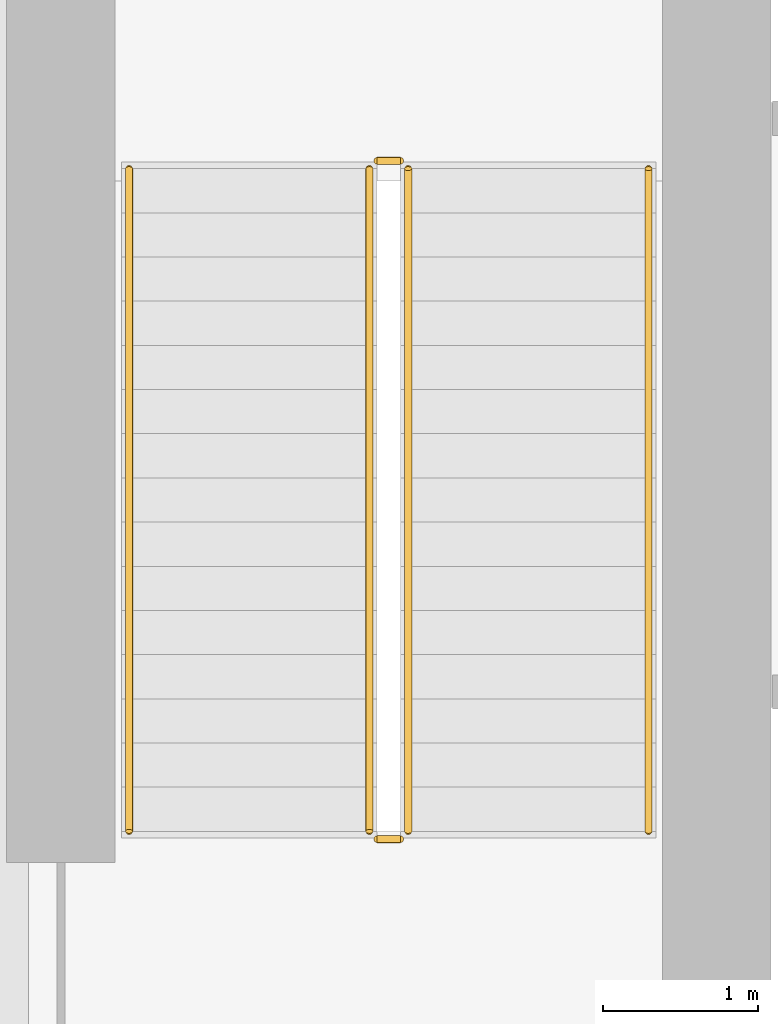
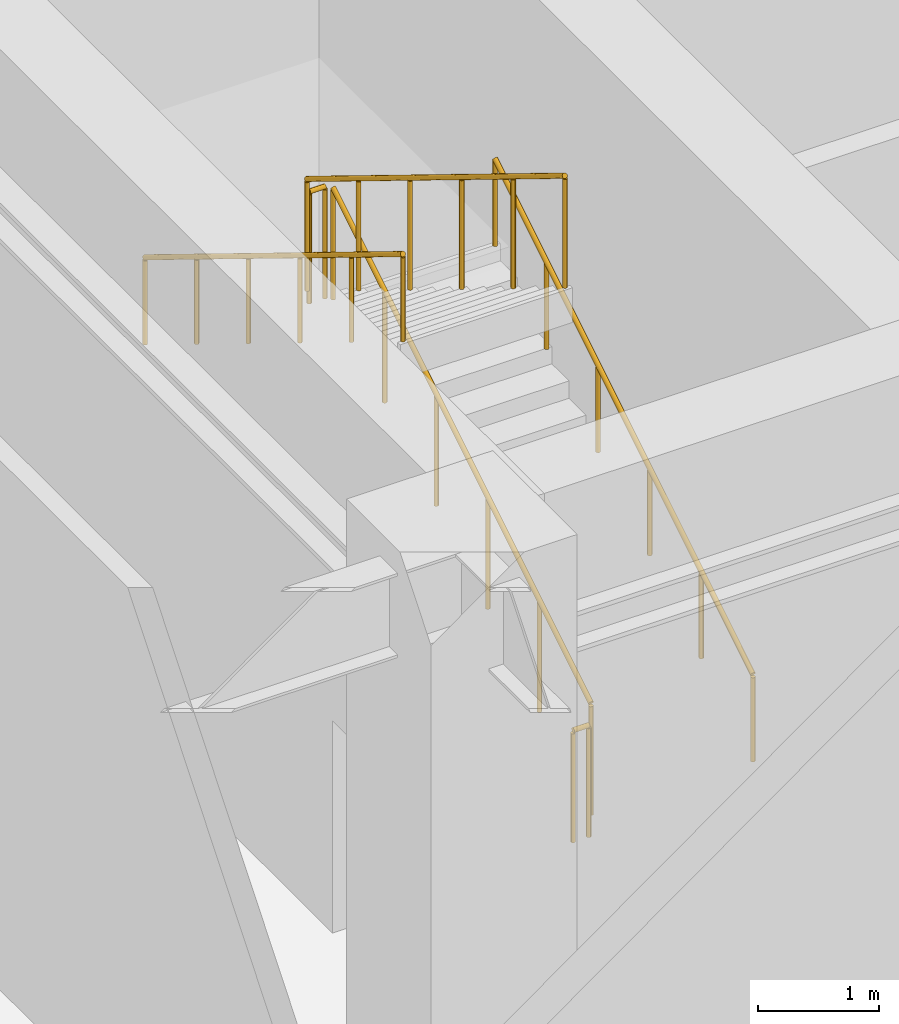
# One storey, part 17 of 21: 6 railings.
"""IFC4 building model written with IfcOpenShell, lengths in metres."""

from ifc_helpers import new_model, si_unit, direction, frame, origin, origin_2d, place, context, subcontext, project, spatial, circle, extrude, material, type_object, element, save


model = new_model("IFC4")

# Units and contexts
model_context = context("Model", 3, precision=1e-05, world=origin(), true_north=direction((0.0, 1.0)))
body_context = subcontext(model_context, "Body", "Model", "MODEL_VIEW")
ifc_project = project(units=[si_unit("LENGTHUNIT", "METRE"), si_unit("AREAUNIT", "SQUARE_METRE"), si_unit("VOLUMEUNIT", "CUBIC_METRE"), si_unit("PLANEANGLEUNIT", "RADIAN"), si_unit("MASSUNIT", "GRAM", prefix="KILO")], contexts=[model_context])

# Site, building, storey
site_placement = place(None, origin())
site = spatial("IfcSite", under=ifc_project, at=site_placement, CompositionType="ELEMENT")
building_placement = place(site_placement, origin())
building = spatial("IfcBuilding", under=site, at=building_placement, Name="Nhamokura Convention Tower", CompositionType="ELEMENT")
storey_placement = place(building_placement, frame((0.0, 0.0, 12.25)))
storey = spatial("IfcBuildingStorey", under=building, at=storey_placement, Name="L02", CompositionType="ELEMENT", Elevation=12.25)

# Railings
ifc_material_1 = material(Name="Anodised bronze stainless steel", Category="steel")
railing_type_1 = type_object("IfcRailingType", Name="StairWallHandrail_900", PredefinedType="HANDRAIL", material=ifc_material_1)
railing_1_placement = place(storey_placement, frame((24.85009765625, 23.10009765625, 0.175048828125)))
element("IfcRailing", 1, at=railing_1_placement, inside=storey, type_object=railing_type_1, Name="L02 ST-01 stair handrail 1", PredefinedType="HANDRAIL", context=body_context, shape_type="SweptSolid", body=[
    extrude(circle(Radius=0.02392578125, at=origin_2d()), frame((0.0, 0.0, 0.8759765625), z_axis=(0.0, 0.852165895541, 0.523271713813), x_axis=(-1.0, 0.0, 0.0)), (0.0, 0.0, 1.0), 5.0166015625),
    extrude(circle(Radius=0.02099609375, at=origin_2d()), origin(), (0.0, 0.0, 1.0), 0.851806640625),
    extrude(circle(Radius=0.02099609375, at=origin_2d()), frame((0.0, 0.85498046875, 0.52490234375)), (0.0, 0.0, 1.0), 0.851806640625),
    extrude(circle(Radius=0.02099609375, at=origin_2d()), frame((0.0, 1.7099609375, 1.050048828125)), (0.0, 0.0, 1.0), 0.851806640625),
    extrude(circle(Radius=0.02099609375, at=origin_2d()), frame((0.0, 2.56494140625, 1.574951171875)), (0.0, 0.0, 1.0), 0.851806640625),
    extrude(circle(Radius=0.02099609375, at=origin_2d()), frame((0.0, 3.419921875, 2.10009765625)), (0.0, 0.0, 1.0), 0.851806640625),
    extrude(circle(Radius=0.02099609375, at=origin_2d()), frame((0.0, 4.27490234375, 2.625)), (0.0, 0.0, 1.0), 0.851806640625),
])
railing_2_placement = place(storey_placement, frame((21.5, 27.375, 2.97509765625)))
element("IfcRailing", 2, at=railing_2_placement, inside=storey, type_object=railing_type_1, Name="L02 ST-01 stair handrail 2", PredefinedType="HANDRAIL", context=body_context, shape_type="SweptSolid", body=[
    extrude(circle(Radius=0.02392578125, at=origin_2d()), frame((0.0, 0.0, 0.8759765625), z_axis=(0.0, -0.852165895541, 0.523271713813), x_axis=(1.0, 0.0, 0.0)), (0.0, 0.0, 1.0), 5.0166015625),
    extrude(circle(Radius=0.02099609375, at=origin_2d()), origin(), (0.0, 0.0, 1.0), 0.851806640625),
    extrude(circle(Radius=0.02099609375, at=origin_2d()), frame((0.0, -0.85498046875, 0.52490234375)), (0.0, 0.0, 1.0), 0.851806640625),
    extrude(circle(Radius=0.02099609375, at=origin_2d()), frame((0.0, -1.7099609375, 1.050048828125)), (0.0, 0.0, 1.0), 0.851806640625),
    extrude(circle(Radius=0.02099609375, at=origin_2d()), frame((0.0, -2.56494140625, 1.574951171875)), (0.0, 0.0, 1.0), 0.851806640625),
    extrude(circle(Radius=0.02099609375, at=origin_2d()), frame((0.0, -3.419921875, 2.10009765625)), (0.0, 0.0, 1.0), 0.851806640625),
    extrude(circle(Radius=0.02099609375, at=origin_2d()), frame((0.0, -4.27490234375, 2.625)), (0.0, 0.0, 1.0), 0.851806640625),
])
ifc_material_2 = material(Name="Painted tubular steel", Category="steel")
railing_type_2 = type_object("IfcRailingType", Name="StairWellGuardrail_1150", PredefinedType="GUARDRAIL", material=ifc_material_2)
railing_3_placement = place(storey_placement, frame((23.300048828125, 23.10009765625, 0.175048828125)))
element("IfcRailing", 3, at=railing_3_placement, inside=storey, type_object=railing_type_2, Name="L02 ST-01 stair guard 1", PredefinedType="GUARDRAIL", context=body_context, shape_type="SweptSolid", body=[
    extrude(circle(Radius=0.02392578125, at=origin_2d()), frame((0.0, 0.0, 1.1259765625), z_axis=(0.0, 0.852165895541, 0.523271713813), x_axis=(-1.0, 0.0, 0.0)), (0.0, 0.0, 1.0), 5.0166015625),
    extrude(circle(Radius=0.02099609375, at=origin_2d()), origin(), (0.0, 0.0, 1.0), 1.101806640625),
    extrude(circle(Radius=0.02099609375, at=origin_2d()), frame((0.0, 0.85498046875, 0.52490234375)), (0.0, 0.0, 1.0), 1.101806640625),
    extrude(circle(Radius=0.02099609375, at=origin_2d()), frame((0.0, 1.7099609375, 1.050048828125)), (0.0, 0.0, 1.0), 1.101806640625),
    extrude(circle(Radius=0.02099609375, at=origin_2d()), frame((0.0, 2.56494140625, 1.574951171875)), (0.0, 0.0, 1.0), 1.101806640625),
    extrude(circle(Radius=0.02099609375, at=origin_2d()), frame((0.0, 3.419921875, 2.10009765625)), (0.0, 0.0, 1.0), 1.101806640625),
    extrude(circle(Radius=0.02099609375, at=origin_2d()), frame((0.0, 4.27490234375, 2.625)), (0.0, 0.0, 1.0), 1.101806640625),
])
railing_4_placement = place(storey_placement, frame((23.25, 27.425048828125, 2.800048828125)))
element("IfcRailing", 4, at=railing_4_placement, inside=storey, type_object=railing_type_2, Name="L02 ST-01 stair guard 2", PredefinedType="GUARDRAIL", context=body_context, shape_type="SweptSolid", body=[
    extrude(circle(Radius=0.02392578125, at=origin_2d()), frame((0.0, 0.0, 1.1259765625), z_axis=(-1.0, 0.0, 0.0), x_axis=(0.0, -1.0, 0.0)), (0.0, 0.0, 1.0), 0.14990234375),
    extrude(circle(Radius=0.02099609375, at=origin_2d()), origin(), (0.0, 0.0, 1.0), 1.101806640625),
    extrude(circle(Radius=0.02099609375, at=origin_2d()), frame((-0.14990234375, 0.0, 0.0)), (0.0, 0.0, 1.0), 1.101806640625),
])
railing_5_placement = place(storey_placement, frame((23.050048828125, 27.375, 2.97509765625)))
element("IfcRailing", 5, at=railing_5_placement, inside=storey, type_object=railing_type_2, Name="L02 ST-01 stair guard 3", PredefinedType="GUARDRAIL", context=body_context, shape_type="SweptSolid", body=[
    extrude(circle(Radius=0.02392578125, at=origin_2d()), frame((0.0, 0.0, 1.1259765625), z_axis=(0.0, -0.852165895541, 0.523271713813), x_axis=(1.0, 0.0, 0.0)), (0.0, 0.0, 1.0), 5.0166015625),
    extrude(circle(Radius=0.02099609375, at=origin_2d()), origin(), (0.0, 0.0, 1.0), 1.101806640625),
    extrude(circle(Radius=0.02099609375, at=origin_2d()), frame((0.0, -0.85498046875, 0.52490234375)), (0.0, 0.0, 1.0), 1.101806640625),
    extrude(circle(Radius=0.02099609375, at=origin_2d()), frame((0.0, -1.7099609375, 1.050048828125)), (0.0, 0.0, 1.0), 1.101806640625),
    extrude(circle(Radius=0.02099609375, at=origin_2d()), frame((0.0, -2.56494140625, 1.574951171875)), (0.0, 0.0, 1.0), 1.101806640625),
    extrude(circle(Radius=0.02099609375, at=origin_2d()), frame((0.0, -3.419921875, 2.10009765625)), (0.0, 0.0, 1.0), 1.101806640625),
    extrude(circle(Radius=0.02099609375, at=origin_2d()), frame((0.0, -4.27490234375, 2.625)), (0.0, 0.0, 1.0), 1.101806640625),
])
railing_6_placement = place(storey_placement, frame((23.25, 23.050048828125, 0.0)))
element("IfcRailing", 6, at=railing_6_placement, inside=storey, type_object=railing_type_2, Name="L02 ST-01 stair guard 4", PredefinedType="GUARDRAIL", context=body_context, shape_type="SweptSolid", body=[
    extrude(circle(Radius=0.02392578125, at=origin_2d()), frame((0.0, 0.0, 1.1259765625), z_axis=(-1.0, 0.0, 0.0), x_axis=(0.0, -1.0, 0.0)), (0.0, 0.0, 1.0), 0.14990234375),
    extrude(circle(Radius=0.02099609375, at=origin_2d()), origin(), (0.0, 0.0, 1.0), 1.101806640625),
    extrude(circle(Radius=0.02099609375, at=origin_2d()), frame((-0.14990234375, 0.0, 0.0)), (0.0, 0.0, 1.0), 1.101806640625),
])

save(model, "model.ifc")
